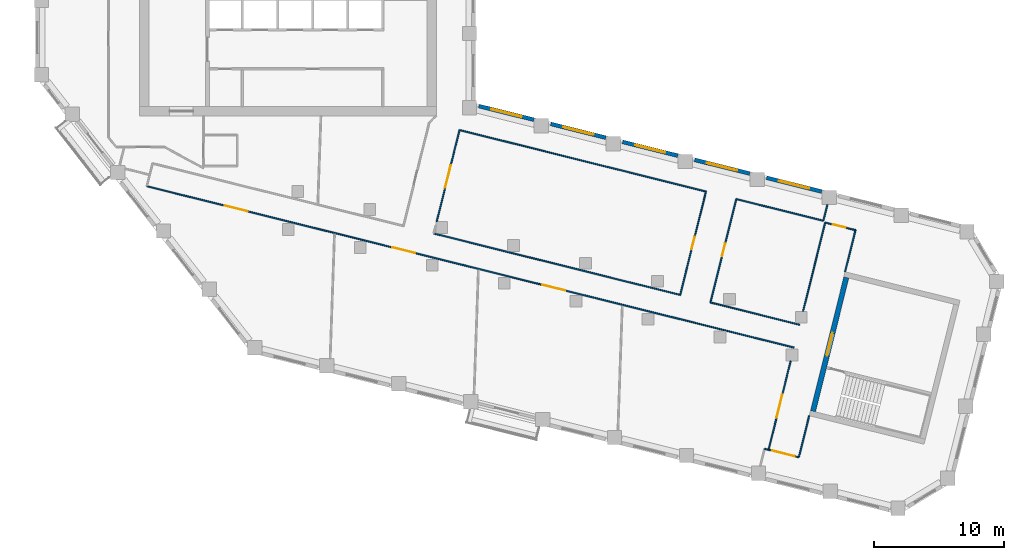
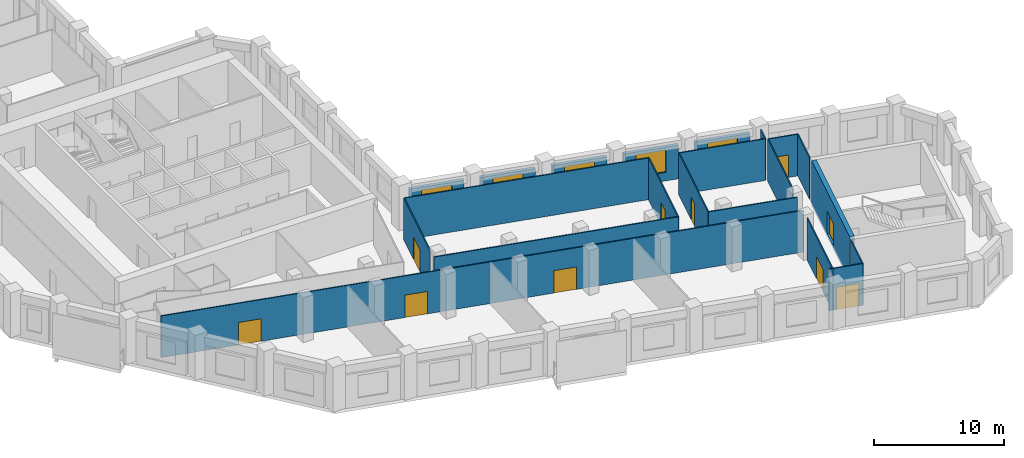
# One storey, part 4 of 10: 22 walls, 10 doors, 5 windows, 15 openings.
"""IFC4 building model written with IfcOpenShell, lengths in metres."""

from ifc_helpers import new_model, si_unit, direction, frame, frame_2d, origin, place, context, subcontext, project, spatial, rectangle, extrude, material, layer, layer_set, type_object, element, fill, save


model = new_model("IFC4")

# Units and contexts
model_context = context("Model", 3, precision=1e-05, world=origin(), true_north=direction((0.0, 1.0)))
body_context = subcontext(model_context, "Body", "Model", "MODEL_VIEW")
ifc_project = project(units=[si_unit("LENGTHUNIT", "METRE"), si_unit("AREAUNIT", "SQUARE_METRE"), si_unit("VOLUMEUNIT", "CUBIC_METRE"), si_unit("PLANEANGLEUNIT", "RADIAN"), si_unit("MASSUNIT", "GRAM", prefix="KILO")], contexts=[model_context])

# Site, building, storey
site_placement = place(None, origin())
site = spatial("IfcSite", under=ifc_project, at=site_placement, CompositionType="ELEMENT")
building_placement = place(site_placement, origin())
building = spatial("IfcBuilding", under=site, at=building_placement, Name="Meshkara Civic Tower", CompositionType="ELEMENT")
storey_placement = place(building_placement, frame((0.0, 0.0, 250.800048828125)))
storey = spatial("IfcBuildingStorey", under=building, at=storey_placement, Name="L57", CompositionType="ELEMENT", Elevation=250.800048828125)

# Wall, openings, doors
ifc_material_1 = material(Name="Corridor wall 100")
ifc_layer_1 = layer(ifc_material_1, 0.10009765625)
ifc_layer_set_1 = layer_set([ifc_layer_1], Name="Corridor wall 100")
wall_type_1 = type_object("IfcWallType", Name="Corridor wall 100", PredefinedType="PARTITIONING", material=ifc_layer_set_1)
wall_1_placement = place(storey_placement, frame((8.550048828125, 8.68505859375, 0.0), z_axis=(0.0, 0.0, 1.0), x_axis=(0.970298026101, -0.241912671319, 0.0)))
wall_1 = element("IfcWall", 1, at=wall_1_placement, inside=storey, type_object=wall_type_1, Name="L57-W008", PredefinedType="PARTITIONING", context=body_context, shape_type="SweptSolid", body=[
    extrude(rectangle(XDim=51.27490234375, YDim=0.10009765625, at=frame_2d((25.637451171875, 0.0))), origin(), (0.0, 0.0, 1.0), 3.89990234375),
])
opening_1_placement = place(wall_1_placement, frame((19.449951171875, 0.0, 0.0)))
opening_1 = element("IfcOpeningElement", 2, at=opening_1_placement, cuts=wall_1, Name="Opening L57-D003", PredefinedType="OPENING", context=body_context, shape_type="SweptSolid", body=[
    extrude(rectangle(XDim=1.800048828125, YDim=2.10009765625, at=frame_2d((0.89990234375, 1.050048828125))), frame((0.0, 0.06005859375, 0.0), z_axis=(0.0, -1.0, 0.0), x_axis=(1.0, 0.0, 0.0)), (0.0, 0.0, 1.0), 0.1201171875),
])
opening_2_placement = place(wall_1_placement, frame((31.35009765625, 0.0, 0.0)))
opening_2 = element("IfcOpeningElement", 3, at=opening_2_placement, cuts=wall_1, Name="Opening L57-D004", PredefinedType="OPENING", context=body_context, shape_type="SweptSolid", body=[
    extrude(rectangle(XDim=1.800048828125, YDim=2.10009765625, at=frame_2d((0.89990234375, 1.050048828125))), frame((0.0, 0.06005859375, 0.0), z_axis=(0.0, -1.0, 0.0), x_axis=(1.0, 0.0, 0.0)), (0.0, 0.0, 1.0), 0.1201171875),
])
opening_3_placement = place(wall_1_placement, frame((6.179931640625, 0.0, 0.0)))
opening_3 = element("IfcOpeningElement", 4, at=opening_3_placement, cuts=wall_1, Name="Opening L57-D010", PredefinedType="OPENING", context=body_context, shape_type="SweptSolid", body=[
    extrude(rectangle(XDim=1.800048828125, YDim=2.10009765625, at=frame_2d((0.89990234375, 1.050048828125))), frame((0.0, 0.06005859375, 0.0), z_axis=(0.0, -1.0, 0.0), x_axis=(1.0, 0.0, 0.0)), (0.0, 0.0, 1.0), 0.1201171875),
])
ifc_material_2 = material(Name="Door pair 1800 x 2100")
door_type_1 = type_object("IfcDoorType", Name="Door pair 1800 x 2100", OperationType="SINGLE_SWING_LEFT", PredefinedType="DOOR", material=ifc_material_2)
door_1_placement = place(opening_1_placement, origin())
door_1 = element("IfcDoor", 5, at=door_1_placement, inside=storey, type_object=door_type_1, Name="L57-D003", OperationType="DOUBLE_DOOR_SINGLE_SWING", OverallHeight=2.10009765625, OverallWidth=1.800048828125, PredefinedType="DOOR", context=body_context, shape_type="SweptSolid", body=[
    extrude(rectangle(XDim=1.800048828125, YDim=2.10009765625, at=frame_2d((0.89990234375, 1.050048828125))), frame((0.0, 0.02490234375, 0.0), z_axis=(0.0, -1.0, 0.0), x_axis=(1.0, 0.0, 0.0)), (0.0, 0.0, 1.0), 0.050048828125),
])
fill(opening_1, door_1)
door_2_placement = place(opening_2_placement, origin())
door_2 = element("IfcDoor", 6, at=door_2_placement, inside=storey, type_object=door_type_1, Name="L57-D004", OperationType="DOUBLE_DOOR_SINGLE_SWING", OverallHeight=2.10009765625, OverallWidth=1.800048828125, PredefinedType="DOOR", context=body_context, shape_type="SweptSolid", body=[
    extrude(rectangle(XDim=1.800048828125, YDim=2.10009765625, at=frame_2d((0.89990234375, 1.050048828125))), frame((0.0, 0.02490234375, 0.0), z_axis=(0.0, -1.0, 0.0), x_axis=(1.0, 0.0, 0.0)), (0.0, 0.0, 1.0), 0.050048828125),
])
fill(opening_2, door_2)
door_3_placement = place(opening_3_placement, origin())
door_3 = element("IfcDoor", 7, at=door_3_placement, inside=storey, type_object=door_type_1, Name="L57-D010", OperationType="DOUBLE_DOOR_SINGLE_SWING", OverallHeight=2.10009765625, OverallWidth=1.800048828125, PredefinedType="DOOR", context=body_context, shape_type="SweptSolid", body=[
    extrude(rectangle(XDim=1.800048828125, YDim=2.10009765625, at=frame_2d((0.89990234375, 1.050048828125))), frame((0.0, 0.02490234375, 0.0), z_axis=(0.0, -1.0, 0.0), x_axis=(1.0, 0.0, 0.0)), (0.0, 0.0, 1.0), 0.050048828125),
])
fill(opening_3, door_3)

# Wall, opening, door
wall_2_placement = place(storey_placement, frame((30.8330078125, 5.962890625, 0.0), z_axis=(0.0, 0.0, 1.0), x_axis=(0.241902093757, 0.970300663215, 0.0)))
wall_2 = element("IfcWall", 8, at=wall_2_placement, inside=storey, type_object=wall_type_1, Name="L57-W029", PredefinedType="PARTITIONING", context=body_context, shape_type="SweptSolid", body=[
    extrude(rectangle(XDim=7.254638671875, YDim=0.10009765625, at=frame_2d((3.62744140625, 0.0))), origin(), (0.0, 0.0, 1.0), 3.89990234375),
])
opening_4_placement = place(wall_2_placement, frame((2.679931640625, 0.0, 0.0)))
opening_4 = element("IfcOpeningElement", 9, at=opening_4_placement, cuts=wall_2, Name="Opening L57-D012", PredefinedType="OPENING", context=body_context, shape_type="SweptSolid", body=[
    extrude(rectangle(XDim=1.800048828125, YDim=2.10009765625, at=frame_2d((0.89990234375, 1.050048828125))), frame((0.0, 0.06005859375, 0.0), z_axis=(0.0, -1.0, 0.0), x_axis=(1.0, 0.0, 0.0)), (0.0, 0.0, 1.0), 0.1201171875),
])
door_4_placement = place(opening_4_placement, origin())
door_4 = element("IfcDoor", 10, at=door_4_placement, inside=storey, type_object=door_type_1, Name="L57-D012", OperationType="DOUBLE_DOOR_SINGLE_SWING", OverallHeight=2.10009765625, OverallWidth=1.800048828125, PredefinedType="DOOR", context=body_context, shape_type="SweptSolid", body=[
    extrude(rectangle(XDim=1.800048828125, YDim=2.10009765625, at=frame_2d((0.89990234375, 1.050048828125))), frame((0.0, 0.02490234375, 0.0), z_axis=(0.0, -1.0, 0.0), x_axis=(1.0, 0.0, 0.0)), (0.0, 0.0, 1.0), 0.050048828125),
])
fill(opening_4, door_4)

# Walls
wall_3_placement = place(storey_placement, frame((32.587890625, 13.001953125, 0.0), z_axis=(0.0, 0.0, 1.0), x_axis=(0.970294555223, -0.241926592387, 0.0)))
element("IfcWall", 11, at=wall_3_placement, inside=storey, type_object=wall_type_1, Name="L57-W031", PredefinedType="PARTITIONING", context=body_context, shape_type="SweptSolid", body=[
    extrude(rectangle(XDim=19.526123046875, YDim=0.10009765625, at=frame_2d((9.76318359375, 0.0))), origin(), (0.0, 0.0, 1.0), 3.89990234375),
])
wall_4_placement = place(storey_placement, frame((49.551025390625, 0.326904296875, 0.0), z_axis=(0.0, 0.0, 1.0), x_axis=(-0.970303359745, 0.241891277369, 0.0)))
element("IfcWall", 12, at=wall_4_placement, inside=storey, type_object=wall_type_1, Name="L57-W032", PredefinedType="PARTITIONING", context=body_context, shape_type="SweptSolid", body=[
    extrude(rectangle(XDim=19.52587890625, YDim=0.10009765625, at=frame_2d((9.762939453125, 0.0))), origin(), (0.0, 0.0, 1.0), 3.89990234375),
])

# Wall, opening, door
wall_5_placement = place(storey_placement, frame((51.533935546875, 8.278076171875, 0.0), z_axis=(0.0, 0.0, 1.0), x_axis=(-0.241974784284, -0.970282538115, 0.0)))
wall_5 = element("IfcWall", 13, at=wall_5_placement, inside=storey, type_object=wall_type_1, Name="L57-W033", PredefinedType="PARTITIONING", context=body_context, shape_type="SweptSolid", body=[
    extrude(rectangle(XDim=8.194580078125, YDim=0.10009765625, at=frame_2d((4.09716796875, 0.0))), origin(), (0.0, 0.0, 1.0), 3.89990234375),
])
opening_5_placement = place(wall_5_placement, frame((3.580078125, 0.0, 0.0)))
opening_5 = element("IfcOpeningElement", 14, at=opening_5_placement, cuts=wall_5, Name="Opening L57-D005", PredefinedType="OPENING", context=body_context, shape_type="SweptSolid", body=[
    extrude(rectangle(XDim=1.0, YDim=2.10009765625, at=frame_2d((0.5, 1.050048828125))), frame((0.0, 0.06005859375, 0.0), z_axis=(0.0, -1.0, 0.0), x_axis=(1.0, 0.0, 0.0)), (0.0, 0.0, 1.0), 0.1201171875),
])
ifc_material_3 = material(Name="Door 1000 x 2100")
door_type_2 = type_object("IfcDoorType", Name="Door 1000 x 2100", OperationType="SINGLE_SWING_LEFT", PredefinedType="DOOR", material=ifc_material_3)
door_5_placement = place(opening_5_placement, origin())
door_5 = element("IfcDoor", 15, at=door_5_placement, inside=storey, type_object=door_type_2, Name="L57-D005", OperationType="SINGLE_SWING_RIGHT", OverallHeight=2.10009765625, OverallWidth=1.0, PredefinedType="DOOR", context=body_context, shape_type="SweptSolid", body=[
    extrude(rectangle(XDim=1.0, YDim=2.10009765625, at=frame_2d((0.5, 1.050048828125))), frame((0.0, 0.02490234375, 0.0), z_axis=(0.0, -1.0, 0.0), x_axis=(1.0, 0.0, 0.0)), (0.0, 0.0, 1.0), 0.050048828125),
])
fill(opening_5, door_5)

wall_6_placement = place(storey_placement, frame((51.8798828125, -0.25390625, 0.0), z_axis=(0.0, 0.0, 1.0), x_axis=(0.241869660979, 0.970308748336, 0.0)))
wall_6 = element("IfcWall", 16, at=wall_6_placement, inside=storey, type_object=wall_type_1, Name="L57-W034", PredefinedType="PARTITIONING", context=body_context, shape_type="SweptSolid", body=[
    extrude(rectangle(XDim=8.1953125, YDim=0.10009765625, at=frame_2d((4.09765625, 0.0))), origin(), (0.0, 0.0, 1.0), 3.89990234375),
])
opening_6_placement = place(wall_6_placement, frame((3.679931640625, 0.0, 0.0)))
opening_6 = element("IfcOpeningElement", 17, at=opening_6_placement, cuts=wall_6, Name="Opening L57-D006", PredefinedType="OPENING", context=body_context, shape_type="SweptSolid", body=[
    extrude(rectangle(XDim=1.0, YDim=2.10009765625, at=frame_2d((0.5, 1.050048828125))), frame((0.0, 0.06005859375, 0.0), z_axis=(0.0, -1.0, 0.0), x_axis=(1.0, 0.0, 0.0)), (0.0, 0.0, 1.0), 0.1201171875),
])
door_6_placement = place(opening_6_placement, origin())
door_6 = element("IfcDoor", 18, at=door_6_placement, inside=storey, type_object=door_type_2, Name="L57-D006", OperationType="SINGLE_SWING_LEFT", OverallHeight=2.10009765625, OverallWidth=1.0, PredefinedType="DOOR", context=body_context, shape_type="SweptSolid", body=[
    extrude(rectangle(XDim=1.0, YDim=2.10009765625, at=frame_2d((0.5, 1.050048828125))), frame((0.0, 0.02490234375, 0.0), z_axis=(0.0, -1.0, 0.0), x_axis=(1.0, 0.0, 0.0)), (0.0, 0.0, 1.0), 0.050048828125),
])
fill(opening_6, door_6)

# Wall
wall_7_placement = place(storey_placement, frame((53.862060546875, 7.697998046875, 0.0), z_axis=(0.0, 0.0, 1.0), x_axis=(0.970296350815, -0.241919390698, 0.0)))
element("IfcWall", 19, at=wall_7_placement, inside=storey, type_object=wall_type_1, Name="L57-W035", PredefinedType="PARTITIONING", context=body_context, shape_type="SweptSolid", body=[
    extrude(rectangle(XDim=6.898681640625, YDim=0.10009765625, at=frame_2d((3.44921875, 0.0))), origin(), (0.0, 0.0, 1.0), 3.89990234375),
])

# Wall, opening, door
wall_8_placement = place(storey_placement, frame((56.343994140625, -11.574951171875, 0.0), z_axis=(0.0, 0.0, 1.0), x_axis=(0.970333736057, -0.241769395645, 0.0)))
wall_8 = element("IfcWall", 20, at=wall_8_placement, inside=storey, type_object=wall_type_1, Name="L57-W036", PredefinedType="PARTITIONING", context=body_context, shape_type="SweptSolid", body=[
    extrude(rectangle(XDim=2.3994140625, YDim=0.10009765625, at=frame_2d((1.19970703125, 0.0))), origin(), (0.0, 0.0, 1.0), 3.89990234375),
])
opening_7_placement = place(wall_8_placement, frame((0.280029296875, 0.0, 0.0)))
opening_7 = element("IfcOpeningElement", 21, at=opening_7_placement, cuts=wall_8, Name="Opening L57-D002", PredefinedType="OPENING", context=body_context, shape_type="SweptSolid", body=[
    extrude(rectangle(XDim=1.800048828125, YDim=2.10009765625, at=frame_2d((0.89990234375, 1.050048828125))), frame((0.0, 0.06005859375, 0.0), z_axis=(0.0, -1.0, 0.0), x_axis=(1.0, 0.0, 0.0)), (0.0, 0.0, 1.0), 0.1201171875),
])
door_7_placement = place(opening_7_placement, origin())
door_7 = element("IfcDoor", 22, at=door_7_placement, inside=storey, type_object=door_type_1, Name="L57-D002", OperationType="DOUBLE_DOOR_SINGLE_SWING", OverallHeight=2.10009765625, OverallWidth=1.800048828125, PredefinedType="DOOR", context=body_context, shape_type="SweptSolid", body=[
    extrude(rectangle(XDim=1.800048828125, YDim=2.10009765625, at=frame_2d((0.89990234375, 1.050048828125))), frame((0.0, 0.02490234375, 0.0), z_axis=(0.0, -1.0, 0.0), x_axis=(1.0, 0.0, 0.0)), (0.0, 0.0, 1.0), 0.050048828125),
])
fill(opening_7, door_7)

wall_9_placement = place(storey_placement, frame((58.047119140625, -4.741943359375, 0.0), z_axis=(0.0, 0.0, 1.0), x_axis=(-0.241882891004, -0.970305450381, 0.0)))
wall_9 = element("IfcWall", 23, at=wall_9_placement, inside=storey, type_object=wall_type_1, Name="L57-W037", PredefinedType="PARTITIONING", context=body_context, shape_type="SweptSolid", body=[
    extrude(rectangle(XDim=7.041015625, YDim=0.10009765625, at=frame_2d((3.5205078125, 0.0))), origin(), (0.0, 0.0, 1.0), 3.89990234375),
])
opening_8_placement = place(wall_9_placement, frame((2.679931640625, 0.0, 0.0)))
opening_8 = element("IfcOpeningElement", 24, at=opening_8_placement, cuts=wall_9, Name="Opening L57-D001", PredefinedType="OPENING", context=body_context, shape_type="SweptSolid", body=[
    extrude(rectangle(XDim=1.800048828125, YDim=2.10009765625, at=frame_2d((0.89990234375, 1.050048828125))), frame((0.0, 0.06005859375, 0.0), z_axis=(0.0, -1.0, 0.0), x_axis=(1.0, 0.0, 0.0)), (0.0, 0.0, 1.0), 0.1201171875),
])
door_8_placement = place(opening_8_placement, origin())
door_8 = element("IfcDoor", 25, at=door_8_placement, inside=storey, type_object=door_type_1, Name="L57-D001", OperationType="DOUBLE_DOOR_SINGLE_SWING", OverallHeight=2.10009765625, OverallWidth=1.800048828125, PredefinedType="DOOR", context=body_context, shape_type="SweptSolid", body=[
    extrude(rectangle(XDim=1.800048828125, YDim=2.10009765625, at=frame_2d((0.89990234375, 1.050048828125))), frame((0.0, 0.02490234375, 0.0), z_axis=(0.0, -1.0, 0.0), x_axis=(1.0, 0.0, 0.0)), (0.0, 0.0, 1.0), 0.050048828125),
])
fill(opening_8, door_8)

# Walls
wall_10_placement = place(storey_placement, frame((58.672119140625, -12.155029296875, 0.0), z_axis=(0.0, 0.0, 1.0), x_axis=(0.242048225647, 0.970264219922, 0.0)))
element("IfcWall", 26, at=wall_10_placement, inside=storey, type_object=wall_type_1, Name="L57-W038", PredefinedType="PARTITIONING", context=body_context, shape_type="SweptSolid", body=[
    extrude(rectangle(XDim=3.30029296875, YDim=0.10009765625, at=frame_2d((1.650146484375, 0.0))), origin(), (0.0, 0.0, 1.0), 3.89990234375),
])
wall_11_placement = place(storey_placement, frame((58.739990234375, -1.965087890625, 0.0), z_axis=(0.0, 0.0, 1.0), x_axis=(-0.970270330794, 0.24202372855, 0.0)))
element("IfcWall", 27, at=wall_11_placement, inside=storey, type_object=wall_type_1, Name="L57-W039", PredefinedType="PARTITIONING", context=body_context, shape_type="SweptSolid", body=[
    extrude(rectangle(XDim=7.0703125, YDim=0.10009765625, at=frame_2d((3.53515625, 0.0))), origin(), (0.0, 0.0, 1.0), 3.89990234375),
])
wall_12_placement = place(storey_placement, frame((60.555908203125, 6.029052734375, 0.0), z_axis=(0.0, 0.0, 1.0), x_axis=(0.24168476558, 0.970354818655, 0.0)))
element("IfcWall", 28, at=wall_12_placement, inside=storey, type_object=wall_type_1, Name="L57-W040", PredefinedType="PARTITIONING", context=body_context, shape_type="SweptSolid", body=[
    extrude(rectangle(XDim=1.282958984375, YDim=0.10009765625, at=frame_2d((0.6416015625, 0.0))), origin(), (0.0, 0.0, 1.0), 3.89990234375),
])
wall_13_placement = place(storey_placement, frame((60.697998046875, 5.89111328125, 0.0), z_axis=(0.0, 0.0, 1.0), x_axis=(-0.241890198624, -0.97030362867, 0.0)))
element("IfcWall", 29, at=wall_13_placement, inside=storey, type_object=wall_type_1, Name="L57-W041", PredefinedType="PARTITIONING", context=body_context, shape_type="SweptSolid", body=[
    extrude(rectangle(XDim=7.03173828125, YDim=0.10009765625, at=frame_2d((3.515869140625, 0.0))), origin(), (0.0, 0.0, 1.0), 3.89990234375),
])
wall_14_placement = place(storey_placement, frame((62.22900390625, 2.10791015625, 0.0), z_axis=(0.0, 0.0, 1.0), x_axis=(0.241839284064, 0.97031631991, 0.0)))
element("IfcWall", 30, at=wall_14_placement, inside=storey, type_object=wall_type_1, Name="L57-W042", PredefinedType="PARTITIONING", context=body_context, shape_type="SweptSolid", body=[
    extrude(rectangle(XDim=3.300048828125, YDim=0.10009765625, at=frame_2d((1.64990234375, 0.0))), origin(), (0.0, 0.0, 1.0), 3.89990234375),
])

# Wall, opening, door
wall_15_placement = place(storey_placement, frame((63.027099609375, 5.31005859375, 0.0), z_axis=(0.0, 0.0, 1.0), x_axis=(-0.970262034576, 0.242056985565, 0.0)))
wall_15 = element("IfcWall", 31, at=wall_15_placement, inside=storey, type_object=wall_type_1, Name="L57-W043", PredefinedType="PARTITIONING", context=body_context, shape_type="SweptSolid", body=[
    extrude(rectangle(XDim=2.400390625, YDim=0.10009765625, at=frame_2d((1.2001953125, 0.0))), origin(), (0.0, 0.0, 1.0), 3.89990234375),
])
opening_9_placement = place(wall_15_placement, frame((0.780029296875, 0.0, 0.0)))
opening_9 = element("IfcOpeningElement", 32, at=opening_9_placement, cuts=wall_15, Name="Opening L57-D007", PredefinedType="OPENING", context=body_context, shape_type="SweptSolid", body=[
    extrude(rectangle(XDim=1.0, YDim=2.10009765625, at=frame_2d((0.5, 1.050048828125))), frame((0.0, 0.06005859375, 0.0), z_axis=(0.0, -1.0, 0.0), x_axis=(1.0, 0.0, 0.0)), (0.0, 0.0, 1.0), 0.1201171875),
])
door_9_placement = place(opening_9_placement, origin())
door_9 = element("IfcDoor", 33, at=door_9_placement, inside=storey, type_object=door_type_2, Name="L57-D007", OperationType="SINGLE_SWING_LEFT", OverallHeight=2.10009765625, OverallWidth=1.0, PredefinedType="DOOR", context=body_context, shape_type="SweptSolid", body=[
    extrude(rectangle(XDim=1.0, YDim=2.10009765625, at=frame_2d((0.5, 1.050048828125))), frame((0.0, 0.02490234375, 0.0), z_axis=(0.0, -1.0, 0.0), x_axis=(1.0, 0.0, 0.0)), (0.0, 0.0, 1.0), 0.050048828125),
])
fill(opening_9, door_9)

# Wall, opening, window
ifc_material_4 = material(Name="Insulated infill panel with bronze anodised aluminium cladding", Category="aluminium")
ifc_layer_2 = layer(ifc_material_4, 0.300048828125)
ifc_layer_set_2 = layer_set([ifc_layer_2], Name="EXTERNAL INFILL WALL 300")
wall_type_2 = type_object("IfcWallType", Name="EXTERNAL INFILL WALL 300", PredefinedType="SOLIDWALL", material=ifc_layer_set_2)
wall_16_placement = place(storey_placement, frame((60.428955078125, 8.277099609375, 0.0), z_axis=(0.0, 0.0, 1.0), x_axis=(-0.97030676369, 0.241877622649, 0.0)))
wall_16 = element("IfcWall", 34, at=wall_16_placement, inside=storey, type_object=wall_type_2, Name="External wall", PredefinedType="SOLIDWALL", context=body_context, shape_type="SweptSolid", body=[
    extrude(rectangle(XDim=4.365478515625, YDim=0.300048828125, at=frame_2d((2.1826171875, 0.0))), origin(), (0.0, 0.0, 1.0), 3.14990234375),
])
opening_10_placement = place(wall_16_placement, frame((0.98291015625, 0.0, 0.800048828125)))
opening_10 = element("IfcOpeningElement", 35, at=opening_10_placement, cuts=wall_16, Name="Opening W7", PredefinedType="OPENING", context=body_context, shape_type="SweptSolid", body=[
    extrude(rectangle(XDim=2.39990234375, YDim=2.10009765625, at=frame_2d((1.199951171875, 1.050048828125))), frame((0.0, 0.159912109375, 0.0), z_axis=(0.0, -1.0, 0.0), x_axis=(1.0, 0.0, 0.0)), (0.0, 0.0, 1.0), 0.320068359375),
])
ifc_material_5 = material(Name="Tinted double glazing", Category="glass")
window_type = type_object("IfcWindowType", Name="WINDOW 2400x2100", PartitioningType="DOUBLE_PANEL_VERTICAL", PredefinedType="WINDOW", material=ifc_material_5)
window_1_placement = place(opening_10_placement, origin())
window_1 = element("IfcWindow", 36, at=window_1_placement, inside=storey, type_object=window_type, Name="Window", OverallHeight=2.10009765625, OverallWidth=2.39990234375, PartitioningType="DOUBLE_PANEL_VERTICAL", PredefinedType="WINDOW", context=body_context, shape_type="SweptSolid", body=[
    extrude(rectangle(XDim=2.39990234375, YDim=2.10009765625, at=frame_2d((1.199951171875, 1.050048828125))), frame((0.0, 0.030029296875, 0.0), z_axis=(0.0, -1.0, 0.0), x_axis=(1.0, 0.0, 0.0)), (0.0, 0.0, 1.0), 0.06005859375),
])
fill(opening_10, window_1)

wall_17_placement = place(storey_placement, frame((54.89892578125, 9.656005859375, 0.0), z_axis=(0.0, 0.0, 1.0), x_axis=(-0.970319847058, 0.241825131873, 0.0)))
wall_17 = element("IfcWall", 37, at=wall_17_placement, inside=storey, type_object=wall_type_2, Name="External wall", PredefinedType="SOLIDWALL", context=body_context, shape_type="SweptSolid", body=[
    extrude(rectangle(XDim=4.366455078125, YDim=0.300048828125, at=frame_2d((2.18310546875, 0.0))), origin(), (0.0, 0.0, 1.0), 3.14990234375),
])
opening_11_placement = place(wall_17_placement, frame((0.98291015625, 0.0, 0.800048828125)))
opening_11 = element("IfcOpeningElement", 38, at=opening_11_placement, cuts=wall_17, Name="Opening W7", PredefinedType="OPENING", context=body_context, shape_type="SweptSolid", body=[
    extrude(rectangle(XDim=2.39990234375, YDim=2.10009765625, at=frame_2d((1.199951171875, 1.050048828125))), frame((0.0, 0.159912109375, 0.0), z_axis=(0.0, -1.0, 0.0), x_axis=(1.0, 0.0, 0.0)), (0.0, 0.0, 1.0), 0.320068359375),
])
window_2_placement = place(opening_11_placement, origin())
window_2 = element("IfcWindow", 39, at=window_2_placement, inside=storey, type_object=window_type, Name="Window", OverallHeight=2.10009765625, OverallWidth=2.39990234375, PartitioningType="DOUBLE_PANEL_VERTICAL", PredefinedType="WINDOW", context=body_context, shape_type="SweptSolid", body=[
    extrude(rectangle(XDim=2.39990234375, YDim=2.10009765625, at=frame_2d((1.199951171875, 1.050048828125))), frame((0.0, 0.030029296875, 0.0), z_axis=(0.0, -1.0, 0.0), x_axis=(1.0, 0.0, 0.0)), (0.0, 0.0, 1.0), 0.06005859375),
])
fill(opening_11, window_2)

wall_18_placement = place(storey_placement, frame((49.367919921875, 11.034912109375, 0.0), z_axis=(0.0, 0.0, 1.0), x_axis=(-0.970306725873, 0.241877774353, 0.0)))
wall_18 = element("IfcWall", 40, at=wall_18_placement, inside=storey, type_object=wall_type_2, Name="External wall", PredefinedType="SOLIDWALL", context=body_context, shape_type="SweptSolid", body=[
    extrude(rectangle(XDim=4.366455078125, YDim=0.300048828125, at=frame_2d((2.18310546875, 0.0))), origin(), (0.0, 0.0, 1.0), 3.14990234375),
])
opening_12_placement = place(wall_18_placement, frame((0.98291015625, 0.0, 0.800048828125)))
opening_12 = element("IfcOpeningElement", 41, at=opening_12_placement, cuts=wall_18, Name="Opening W7", PredefinedType="OPENING", context=body_context, shape_type="SweptSolid", body=[
    extrude(rectangle(XDim=2.39990234375, YDim=2.10009765625, at=frame_2d((1.199951171875, 1.050048828125))), frame((0.0, 0.159912109375, 0.0), z_axis=(0.0, -1.0, 0.0), x_axis=(1.0, 0.0, 0.0)), (0.0, 0.0, 1.0), 0.320068359375),
])
window_3_placement = place(opening_12_placement, origin())
window_3 = element("IfcWindow", 42, at=window_3_placement, inside=storey, type_object=window_type, Name="Window", OverallHeight=2.10009765625, OverallWidth=2.39990234375, PartitioningType="DOUBLE_PANEL_VERTICAL", PredefinedType="WINDOW", context=body_context, shape_type="SweptSolid", body=[
    extrude(rectangle(XDim=2.39990234375, YDim=2.10009765625, at=frame_2d((1.199951171875, 1.050048828125))), frame((0.0, 0.030029296875, 0.0), z_axis=(0.0, -1.0, 0.0), x_axis=(1.0, 0.0, 0.0)), (0.0, 0.0, 1.0), 0.06005859375),
])
fill(opening_12, window_3)

wall_19_placement = place(storey_placement, frame((43.8369140625, 12.4140625, 0.0), z_axis=(0.0, 0.0, 1.0), x_axis=(-0.97030676369, 0.241877622649, 0.0)))
wall_19 = element("IfcWall", 43, at=wall_19_placement, inside=storey, type_object=wall_type_2, Name="External wall", PredefinedType="SOLIDWALL", context=body_context, shape_type="SweptSolid", body=[
    extrude(rectangle(XDim=4.365478515625, YDim=0.300048828125, at=frame_2d((2.1826171875, 0.0))), origin(), (0.0, 0.0, 1.0), 3.14990234375),
])
opening_13_placement = place(wall_19_placement, frame((0.98291015625, 0.0, 0.800048828125)))
opening_13 = element("IfcOpeningElement", 44, at=opening_13_placement, cuts=wall_19, Name="Opening W7", PredefinedType="OPENING", context=body_context, shape_type="SweptSolid", body=[
    extrude(rectangle(XDim=2.39990234375, YDim=2.10009765625, at=frame_2d((1.199951171875, 1.050048828125))), frame((0.0, 0.159912109375, 0.0), z_axis=(0.0, -1.0, 0.0), x_axis=(1.0, 0.0, 0.0)), (0.0, 0.0, 1.0), 0.320068359375),
])
window_4_placement = place(opening_13_placement, origin())
window_4 = element("IfcWindow", 45, at=window_4_placement, inside=storey, type_object=window_type, Name="Window", OverallHeight=2.10009765625, OverallWidth=2.39990234375, PartitioningType="DOUBLE_PANEL_VERTICAL", PredefinedType="WINDOW", context=body_context, shape_type="SweptSolid", body=[
    extrude(rectangle(XDim=2.39990234375, YDim=2.10009765625, at=frame_2d((1.199951171875, 1.050048828125))), frame((0.0, 0.030029296875, 0.0), z_axis=(0.0, -1.0, 0.0), x_axis=(1.0, 0.0, 0.0)), (0.0, 0.0, 1.0), 0.06005859375),
])
fill(opening_13, window_4)

wall_20_placement = place(storey_placement, frame((38.306884765625, 13.79296875, 0.0), z_axis=(0.0, 0.0, 1.0), x_axis=(-0.970306725873, 0.241877774353, 0.0)))
wall_20 = element("IfcWall", 46, at=wall_20_placement, inside=storey, type_object=wall_type_2, Name="External wall", PredefinedType="SOLIDWALL", context=body_context, shape_type="SweptSolid", body=[
    extrude(rectangle(XDim=4.366455078125, YDim=0.300048828125, at=frame_2d((2.18310546875, 0.0))), origin(), (0.0, 0.0, 1.0), 3.14990234375),
])
opening_14_placement = place(wall_20_placement, frame((0.98291015625, 0.0, 0.800048828125)))
opening_14 = element("IfcOpeningElement", 47, at=opening_14_placement, cuts=wall_20, Name="Opening W7", PredefinedType="OPENING", context=body_context, shape_type="SweptSolid", body=[
    extrude(rectangle(XDim=2.39990234375, YDim=2.10009765625, at=frame_2d((1.199951171875, 1.050048828125))), frame((0.0, 0.159912109375, 0.0), z_axis=(0.0, -1.0, 0.0), x_axis=(1.0, 0.0, 0.0)), (0.0, 0.0, 1.0), 0.320068359375),
])
window_5_placement = place(opening_14_placement, origin())
window_5 = element("IfcWindow", 48, at=window_5_placement, inside=storey, type_object=window_type, Name="Window", OverallHeight=2.10009765625, OverallWidth=2.39990234375, PartitioningType="DOUBLE_PANEL_VERTICAL", PredefinedType="WINDOW", context=body_context, shape_type="SweptSolid", body=[
    extrude(rectangle(XDim=2.39990234375, YDim=2.10009765625, at=frame_2d((1.199951171875, 1.050048828125))), frame((0.0, 0.030029296875, 0.0), z_axis=(0.0, -1.0, 0.0), x_axis=(1.0, 0.0, 0.0)), (0.0, 0.0, 1.0), 0.06005859375),
])
fill(opening_14, window_5)

# Wall, opening, door
ifc_material_6 = material(Name="Concrete C60", Category="concrete")
ifc_layer_3 = layer(ifc_material_6, 0.39990234375)
ifc_layer_set_3 = layer_set([ifc_layer_3], Name="End core ring wall 400 C60")
wall_type_3 = type_object("IfcWallType", Name="End core ring wall 400 C60", PredefinedType="SHEAR", material=ifc_layer_set_3)
wall_21_placement = place(storey_placement, frame((59.760986328125, -8.613037109375, -0.300048828125), z_axis=(0.0, 0.0, 1.0), x_axis=(0.241971982666, 0.970283236795, 0.0)))
wall_21 = element("IfcWall", 49, at=wall_21_placement, inside=storey, type_object=wall_type_3, Name="L57-C030", PredefinedType="SHEAR", context=body_context, shape_type="SweptSolid", body=[
    extrude(rectangle(XDim=10.60009765625, YDim=0.39990234375, at=frame_2d((5.300048828125, 0.0))), origin(), (0.0, 0.0, 1.0), 4.199951171875),
])
opening_15_placement = place(wall_21_placement, frame((4.39990234375, 0.0, 0.300048828125)))
opening_15 = element("IfcOpeningElement", 50, at=opening_15_placement, cuts=wall_21, Name="Opening L57-K202", PredefinedType="OPENING", context=body_context, shape_type="SweptSolid", body=[
    extrude(rectangle(XDim=1.800048828125, YDim=2.10009765625, at=frame_2d((0.89990234375, 1.050048828125))), frame((0.0, 0.2099609375, 0.0), z_axis=(0.0, -1.0, 0.0), x_axis=(1.0, 0.0, 0.0)), (0.0, 0.0, 1.0), 0.419921875),
])
ifc_material_7 = material(Name="Fire-rated door leaf in steel frame", Category="steel")
door_type_3 = type_object("IfcDoorType", Name="Core double door 1800 EI 60", OperationType="DOUBLE_DOOR_SINGLE_SWING", PredefinedType="DOOR", material=ifc_material_7)
door_10_placement = place(opening_15_placement, origin())
door_10 = element("IfcDoor", 51, at=door_10_placement, inside=storey, type_object=door_type_3, Name="L57-K202", OperationType="DOUBLE_DOOR_SINGLE_SWING", OverallHeight=2.10009765625, OverallWidth=1.800048828125, PredefinedType="DOOR", context=body_context, shape_type="SweptSolid", body=[
    extrude(rectangle(XDim=1.800048828125, YDim=2.10009765625, at=frame_2d((0.89990234375, 1.050048828125))), frame((0.0, 0.02490234375, 0.0), z_axis=(0.0, -1.0, 0.0), x_axis=(1.0, 0.0, 0.0)), (0.0, 0.0, 1.0), 0.050048828125),
])
fill(opening_15, door_10)

# Wall
ifc_material_8 = material(Name="Partition 100")
ifc_layer_4 = layer(ifc_material_8, 0.10009765625)
ifc_layer_set_4 = layer_set([ifc_layer_4], Name="Partition 100")
wall_type_4 = type_object("IfcWallType", Name="Partition 100", PredefinedType="PARTITIONING", material=ifc_layer_set_4)
wall_22_placement = place(storey_placement, frame((56.0380859375, -11.498046875, 0.0), z_axis=(0.0, 0.0, 1.0), x_axis=(0.970551186262, -0.240894987173, 0.0)))
element("IfcWall", 52, at=wall_22_placement, inside=storey, type_object=wall_type_4, Name="L57-W059", PredefinedType="PARTITIONING", context=body_context, shape_type="SweptSolid", body=[
    extrude(rectangle(XDim=0.315185546875, YDim=0.10009765625, at=frame_2d((0.15771484375, 0.0))), origin(), (0.0, 0.0, 1.0), 3.89990234375),
])

save(model, "model.ifc")
